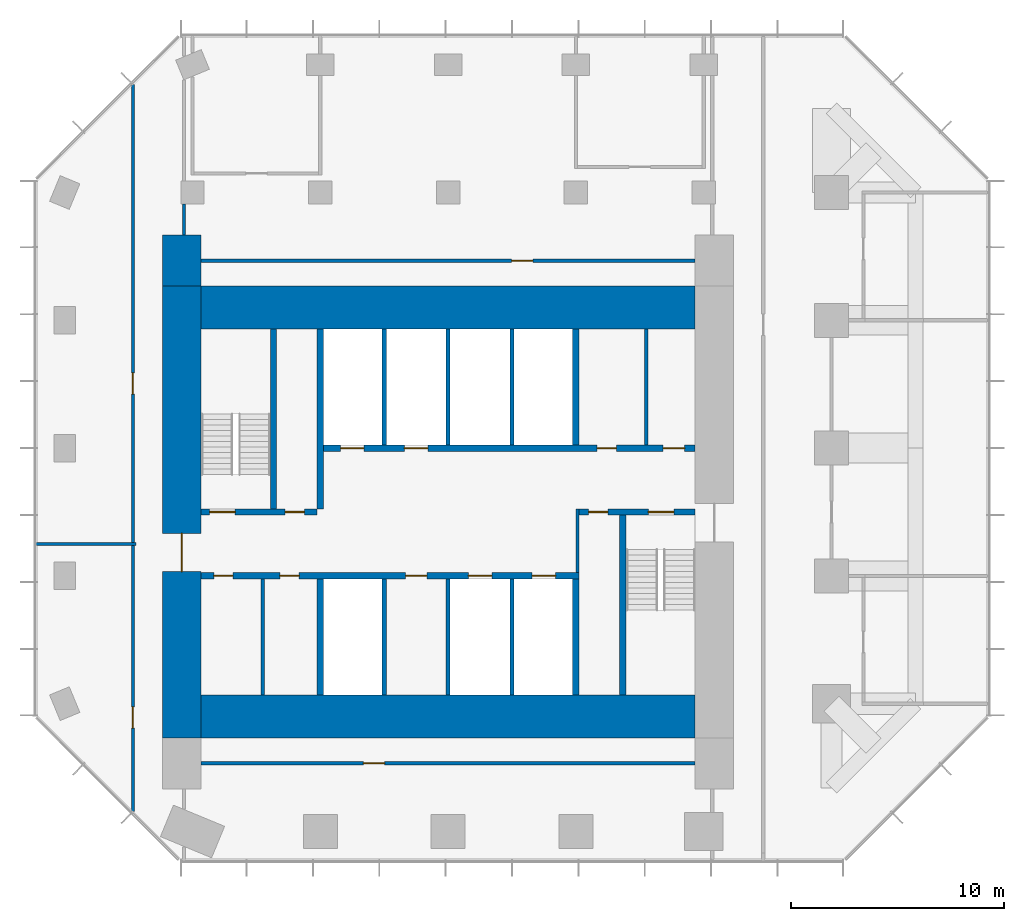
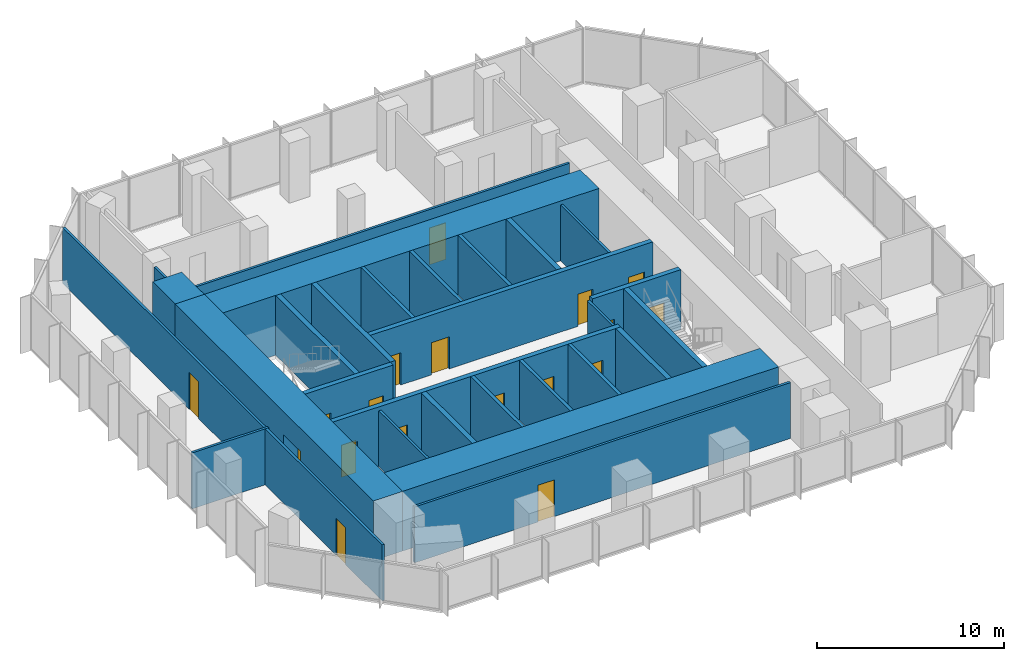
# One storey, part 8 of 10: 29 walls, 18 doors, 18 openings.
"""IFC4 building model written with IfcOpenShell, lengths in metres."""

from ifc_helpers import new_model, si_unit, direction, frame, frame_2d, origin, place, context, subcontext, project, spatial, rectangle, extrude, material, layer, layer_set, type_object, element, fill, save


model = new_model("IFC4")

# Units and contexts
model_context = context("Model", 3, precision=1e-05, world=origin(), true_north=direction((0.0, 1.0)))
body_context = subcontext(model_context, "Body", "Model", "MODEL_VIEW")
ifc_project = project(units=[si_unit("LENGTHUNIT", "METRE"), si_unit("AREAUNIT", "SQUARE_METRE"), si_unit("VOLUMEUNIT", "CUBIC_METRE"), si_unit("PLANEANGLEUNIT", "RADIAN"), si_unit("MASSUNIT", "GRAM", prefix="KILO")], contexts=[model_context])

# Site, building, storey
site_placement = place(None, origin())
site = spatial("IfcSite", under=ifc_project, at=site_placement, CompositionType="ELEMENT")
building_placement = place(site_placement, origin())
building = spatial("IfcBuilding", under=site, at=building_placement, Name="Highveld Stack Headquarters", CompositionType="ELEMENT")
storey_placement = place(building_placement, frame((0.0, 0.0, 264.5)))
storey = spatial("IfcBuildingStorey", under=building, at=storey_placement, Name="L65", CompositionType="ELEMENT", Elevation=264.5)

# Wall, opening, door
ifc_material_1 = material(Name="Concrete C60/75", Category="concrete")
ifc_layer_1 = layer(ifc_material_1, 1.800048828125)
ifc_layer_set_1 = layer_set([ifc_layer_1], Name="Concrete C60/75")
wall_type_1 = type_object("IfcWallType", Name="CORE WALL 1800 C60/75", PredefinedType="SHEAR", material=ifc_layer_set_1)
wall_1_placement = place(storey_placement, frame((-6.5, -7.60009765625, 0.0), z_axis=(0.0, 0.0, 1.0), x_axis=(0.0, 1.0, 0.0)))
wall_1 = element("IfcWall", 1, at=wall_1_placement, inside=storey, type_object=wall_type_1, Name="Core wall W L65", PredefinedType="SHEAR", context=body_context, shape_type="SweptSolid", body=[
    extrude(rectangle(XDim=21.2001953125, YDim=1.800048828125, at=frame_2d((10.60009765625, 0.0))), origin(), (0.0, 0.0, 1.0), 3.89990234375),
])
opening_1_placement = place(wall_1_placement, frame((7.800048828125, 0.0, 0.0)))
opening_1 = element("IfcOpeningElement", 2, at=opening_1_placement, cuts=wall_1, Name="Opening L65-01", PredefinedType="OPENING", context=body_context, shape_type="SweptSolid", body=[
    extrude(rectangle(XDim=1.800048828125, YDim=2.39990234375, at=frame_2d((0.89990234375, 1.199951171875))), frame((0.0, 0.909912109375, 0.0), z_axis=(0.0, -1.0, 0.0), x_axis=(1.0, 0.0, 0.0)), (0.0, 0.0, 1.0), 1.820068359375),
])
ifc_material_2 = material(Name="Steel fire door", Category="steel")
door_type_1 = type_object("IfcDoorType", Name="LOBBY FIRE DOOR D4 1800x2400", OperationType="DOUBLE_DOOR_SINGLE_SWING", PredefinedType="DOOR", material=ifc_material_2)
door_1_placement = place(opening_1_placement, origin())
door_1 = element("IfcDoor", 3, at=door_1_placement, inside=storey, type_object=door_type_1, Name="Core west door L65", OperationType="DOUBLE_DOOR_SINGLE_SWING", OverallHeight=2.39990234375, OverallWidth=1.800048828125, PredefinedType="DOOR", context=body_context, shape_type="SweptSolid", body=[
    extrude(rectangle(XDim=1.800048828125, YDim=2.39990234375, at=frame_2d((0.89990234375, 1.199951171875))), frame((0.0, 0.02490234375, 0.0), z_axis=(0.0, -1.0, 0.0), x_axis=(1.0, 0.0, 0.0)), (0.0, 0.0, 1.0), 0.050048828125),
])
fill(opening_1, door_1)

# Walls
ifc_material_3 = material(Name="Concrete C60/75", Category="concrete")
ifc_layer_2 = layer(ifc_material_3, 2.0)
ifc_layer_set_2 = layer_set([ifc_layer_2], Name="Concrete C60/75")
wall_type_2 = type_object("IfcWallType", Name="CORE WALL 2000 C60/75", PredefinedType="SHEAR", material=ifc_layer_set_2)
for number, where, z_axis, x_axis, name in (
    (4, (-5.60009765625, -6.60009765625, 0.0), (0.0, 0.0, 1.0), (1.0, 0.0, 0.0), "Core wall S L65"),
    (5, (-5.60009765625, 12.60009765625, 0.0), (0.0, 0.0, 1.0), (1.0, 0.0, 0.0), "Core wall N L65"),
):
    element("IfcWall", number, at=place(storey_placement, frame(where, z_axis=z_axis, x_axis=x_axis)), inside=storey, type_object=wall_type_2, Name=name, PredefinedType="SHEAR", context=body_context, shape_type="SweptSolid", body=[
        extrude(rectangle(XDim=23.2001953125, YDim=2.0, at=frame_2d((11.60009765625, 0.0))), origin(), (0.0, 0.0, 1.0), 3.89990234375),
    ])

# Wall, openings, doors
ifc_material_4 = material(Name="Concrete C60/75", Category="concrete")
ifc_layer_3 = layer(ifc_material_4, 0.300048828125)
ifc_layer_set_3 = layer_set([ifc_layer_3], Name="Concrete C60/75")
wall_type_3 = type_object("IfcWallType", Name="CORE WALL 300 C60/75", PredefinedType="SHEAR", material=ifc_layer_set_3)
wall_2_placement = place(storey_placement, frame((-5.60009765625, 0.0, 0.0), z_axis=(0.0, 0.0, 1.0), x_axis=(1.0, 0.0, 0.0)))
wall_2 = element("IfcWall", 6, at=wall_2_placement, inside=storey, type_object=wall_type_3, Name="Core wall I-Y0 L65", PredefinedType="SHEAR", context=body_context, shape_type="SweptSolid", body=[
    extrude(rectangle(XDim=17.75, YDim=0.300048828125, at=frame_2d((8.875, 0.0))), origin(), (0.0, 0.0, 1.0), 3.89990234375),
])
opening_2_placement = place(wall_2_placement, frame((0.60009765625, 0.0, 0.0)))
opening_2 = element("IfcOpeningElement", 7, at=opening_2_placement, cuts=wall_2, Name="Opening L65-07", PredefinedType="OPENING", context=body_context, shape_type="SweptSolid", body=[
    extrude(rectangle(XDim=0.89990234375, YDim=2.10009765625, at=frame_2d((0.449951171875, 1.050048828125))), frame((0.0, 0.159912109375, 0.0), z_axis=(0.0, -1.0, 0.0), x_axis=(1.0, 0.0, 0.0)), (0.0, 0.0, 1.0), 0.320068359375),
])
opening_3_placement = place(wall_2_placement, frame((3.699951171875, 0.0, 0.0)))
opening_3 = element("IfcOpeningElement", 8, at=opening_3_placement, cuts=wall_2, Name="Opening L65-08", PredefinedType="OPENING", context=body_context, shape_type="SweptSolid", body=[
    extrude(rectangle(XDim=0.89990234375, YDim=2.10009765625, at=frame_2d((0.449951171875, 1.050048828125))), frame((0.0, 0.159912109375, 0.0), z_axis=(0.0, -1.0, 0.0), x_axis=(1.0, 0.0, 0.0)), (0.0, 0.0, 1.0), 0.320068359375),
])
opening_4_placement = place(wall_2_placement, frame((9.60009765625, 0.0, 0.0)))
opening_4 = element("IfcOpeningElement", 9, at=opening_4_placement, cuts=wall_2, Name="Opening L65-11", PredefinedType="OPENING", context=body_context, shape_type="SweptSolid", body=[
    extrude(rectangle(XDim=1.0, YDim=2.10009765625, at=frame_2d((0.5, 1.050048828125))), frame((0.0, 0.159912109375, 0.0), z_axis=(0.0, -1.0, 0.0), x_axis=(1.0, 0.0, 0.0)), (0.0, 0.0, 1.0), 0.320068359375),
])
opening_5_placement = place(wall_2_placement, frame((12.550048828125, 0.0, 0.0)))
opening_5 = element("IfcOpeningElement", 10, at=opening_5_placement, cuts=wall_2, Name="Opening LD", PredefinedType="OPENING", context=body_context, shape_type="SweptSolid", body=[
    extrude(rectangle(XDim=1.10009765625, YDim=2.10009765625, at=frame_2d((0.550048828125, 1.050048828125))), frame((0.0, 0.159912109375, 0.0), z_axis=(0.0, -1.0, 0.0), x_axis=(1.0, 0.0, 0.0)), (0.0, 0.0, 1.0), 0.320068359375),
])
opening_6_placement = place(wall_2_placement, frame((15.550048828125, 0.0, 0.0)))
opening_6 = element("IfcOpeningElement", 11, at=opening_6_placement, cuts=wall_2, Name="Opening LD", PredefinedType="OPENING", context=body_context, shape_type="SweptSolid", body=[
    extrude(rectangle(XDim=1.10009765625, YDim=2.10009765625, at=frame_2d((0.550048828125, 1.050048828125))), frame((0.0, 0.159912109375, 0.0), z_axis=(0.0, -1.0, 0.0), x_axis=(1.0, 0.0, 0.0)), (0.0, 0.0, 1.0), 0.320068359375),
])
ifc_material_5 = material(Name="Steel fire door", Category="steel")
door_type_2 = type_object("IfcDoorType", Name="CORE ROOM FIRE DOOR D14 1000x2100", OperationType="SINGLE_SWING_LEFT", PredefinedType="DOOR", material=ifc_material_5)
door_2_placement = place(opening_4_placement, origin())
door_2 = element("IfcDoor", 12, at=door_2_placement, inside=storey, type_object=door_type_2, Name="Capped B 1 door L65", OperationType="SINGLE_SWING_RIGHT", OverallHeight=2.10009765625, OverallWidth=1.0, PredefinedType="DOOR", context=body_context, shape_type="SweptSolid", body=[
    extrude(rectangle(XDim=1.0, YDim=2.10009765625, at=frame_2d((0.5, 1.050048828125))), frame((0.0, 0.02490234375, 0.0), z_axis=(0.0, -1.0, 0.0), x_axis=(1.0, 0.0, 0.0)), (0.0, 0.0, 1.0), 0.050048828125),
])
fill(opening_4, door_2)
ifc_material_6 = material(Name="Stainless steel lift landing door", Category="steel")
door_type_3 = type_object("IfcDoorType", Name="LIFT LANDING DOOR LD 1100x2100", OperationType="DOUBLE_DOOR_SLIDING", PredefinedType="USERDEFINED", material=ifc_material_6)
door_3_placement = place(opening_5_placement, origin())
door_3 = element("IfcDoor", 13, at=door_3_placement, inside=storey, type_object=door_type_3, Name="Lift landing door C1 L65", ObjectType="LIFT LANDING DOOR", OperationType="DOUBLE_DOOR_SLIDING", OverallHeight=2.10009765625, OverallWidth=1.10009765625, PredefinedType="USERDEFINED", context=body_context, shape_type="SweptSolid", body=[
    extrude(rectangle(XDim=1.10009765625, YDim=2.10009765625, at=frame_2d((0.550048828125, 1.050048828125))), frame((0.0, 0.02490234375, 0.0), z_axis=(0.0, -1.0, 0.0), x_axis=(1.0, 0.0, 0.0)), (0.0, 0.0, 1.0), 0.050048828125),
])
fill(opening_5, door_3)
door_4_placement = place(opening_6_placement, origin())
door_4 = element("IfcDoor", 14, at=door_4_placement, inside=storey, type_object=door_type_3, Name="Lift landing door C2 L65", ObjectType="LIFT LANDING DOOR", OperationType="DOUBLE_DOOR_SLIDING", OverallHeight=2.10009765625, OverallWidth=1.10009765625, PredefinedType="USERDEFINED", context=body_context, shape_type="SweptSolid", body=[
    extrude(rectangle(XDim=1.10009765625, YDim=2.10009765625, at=frame_2d((0.550048828125, 1.050048828125))), frame((0.0, 0.02490234375, 0.0), z_axis=(0.0, -1.0, 0.0), x_axis=(1.0, 0.0, 0.0)), (0.0, 0.0, 1.0), 0.050048828125),
])
fill(opening_6, door_4)
ifc_material_7 = material(Name="Timber door, painted", Category="wood")
door_type_4 = type_object("IfcDoorType", Name="WC DOOR D1 900x2100", OperationType="SINGLE_SWING_LEFT", PredefinedType="DOOR", material=ifc_material_7)
door_5_placement = place(opening_2_placement, origin())
door_5 = element("IfcDoor", 15, at=door_5_placement, inside=storey, type_object=door_type_4, Name="Female WC door L65", OperationType="SINGLE_SWING_LEFT", OverallHeight=2.10009765625, OverallWidth=0.89990234375, PredefinedType="DOOR", context=body_context, shape_type="SweptSolid", body=[
    extrude(rectangle(XDim=0.89990234375, YDim=2.10009765625, at=frame_2d((0.449951171875, 1.050048828125))), frame((0.0, 0.02490234375, 0.0), z_axis=(0.0, -1.0, 0.0), x_axis=(1.0, 0.0, 0.0)), (0.0, 0.0, 1.0), 0.050048828125),
])
fill(opening_2, door_5)
door_6_placement = place(opening_3_placement, origin())
door_6 = element("IfcDoor", 16, at=door_6_placement, inside=storey, type_object=door_type_4, Name="Shower and changing room door L65", OperationType="SINGLE_SWING_LEFT", OverallHeight=2.10009765625, OverallWidth=0.89990234375, PredefinedType="DOOR", context=body_context, shape_type="SweptSolid", body=[
    extrude(rectangle(XDim=0.89990234375, YDim=2.10009765625, at=frame_2d((0.449951171875, 1.050048828125))), frame((0.0, 0.02490234375, 0.0), z_axis=(0.0, -1.0, 0.0), x_axis=(1.0, 0.0, 0.0)), (0.0, 0.0, 1.0), 0.050048828125),
])
fill(opening_3, door_6)

wall_3_placement = place(storey_placement, frame((-5.60009765625, 3.0, 0.0), z_axis=(0.0, 0.0, 1.0), x_axis=(1.0, 0.0, 0.0)))
wall_3 = element("IfcWall", 17, at=wall_3_placement, inside=storey, type_object=wall_type_3, Name="Core wall I-Y3W L65", PredefinedType="SHEAR", context=body_context, shape_type="SweptSolid", body=[
    extrude(rectangle(XDim=5.4501953125, YDim=0.300048828125, at=frame_2d((2.72509765625, 0.0))), origin(), (0.0, 0.0, 1.0), 3.89990234375),
])
opening_7_placement = place(wall_3_placement, frame((0.39990234375, 0.0, 0.0)))
opening_7 = element("IfcOpeningElement", 18, at=opening_7_placement, cuts=wall_3, Name="Opening L65-03", PredefinedType="OPENING", context=body_context, shape_type="SweptSolid", body=[
    extrude(rectangle(XDim=1.199951171875, YDim=2.10009765625, at=frame_2d((0.60009765625, 1.050048828125))), frame((0.0, 0.159912109375, 0.0), z_axis=(0.0, -1.0, 0.0), x_axis=(1.0, 0.0, 0.0)), (0.0, 0.0, 1.0), 0.320068359375),
])
opening_8_placement = place(wall_3_placement, frame((3.949951171875, 0.0, 0.0)))
opening_8 = element("IfcOpeningElement", 19, at=opening_8_placement, cuts=wall_3, Name="Opening L65-04", PredefinedType="OPENING", context=body_context, shape_type="SweptSolid", body=[
    extrude(rectangle(XDim=0.89990234375, YDim=2.10009765625, at=frame_2d((0.449951171875, 1.050048828125))), frame((0.0, 0.159912109375, 0.0), z_axis=(0.0, -1.0, 0.0), x_axis=(1.0, 0.0, 0.0)), (0.0, 0.0, 1.0), 0.320068359375),
])
ifc_material_8 = material(Name="Steel fire door", Category="steel")
door_type_5 = type_object("IfcDoorType", Name="RISER ACCESS DOOR D5 900x2100", OperationType="SINGLE_SWING_LEFT", PredefinedType="DOOR", material=ifc_material_8)
door_7_placement = place(opening_8_placement, origin())
door_7 = element("IfcDoor", 20, at=door_7_placement, inside=storey, type_object=door_type_5, Name="Riser R1 door L65", OperationType="SINGLE_SWING_RIGHT", OverallHeight=2.10009765625, OverallWidth=0.89990234375, PredefinedType="DOOR", context=body_context, shape_type="SweptSolid", body=[
    extrude(rectangle(XDim=0.89990234375, YDim=2.10009765625, at=frame_2d((0.449951171875, 1.050048828125))), frame((0.0, 0.02490234375, 0.0), z_axis=(0.0, -1.0, 0.0), x_axis=(1.0, 0.0, 0.0)), (0.0, 0.0, 1.0), 0.050048828125),
])
fill(opening_8, door_7)
ifc_material_9 = material(Name="Steel fire door", Category="steel")
door_type_6 = type_object("IfcDoorType", Name="STAIR FIRE DOOR D3 1200x2100", OperationType="SINGLE_SWING_LEFT", PredefinedType="DOOR", material=ifc_material_9)
door_8_placement = place(opening_7_placement, origin())
door_8 = element("IfcDoor", 21, at=door_8_placement, inside=storey, type_object=door_type_6, Name="Stair S1 door L65", OperationType="SINGLE_SWING_LEFT", OverallHeight=2.10009765625, OverallWidth=1.199951171875, PredefinedType="DOOR", context=body_context, shape_type="SweptSolid", body=[
    extrude(rectangle(XDim=1.199951171875, YDim=2.10009765625, at=frame_2d((0.60009765625, 1.050048828125))), frame((0.0, 0.02490234375, 0.0), z_axis=(0.0, -1.0, 0.0), x_axis=(1.0, 0.0, 0.0)), (0.0, 0.0, 1.0), 0.050048828125),
])
fill(opening_7, door_8)

wall_4_placement = place(storey_placement, frame((12.14990234375, 3.0, 0.0), z_axis=(0.0, 0.0, 1.0), x_axis=(1.0, 0.0, 0.0)))
wall_4 = element("IfcWall", 22, at=wall_4_placement, inside=storey, type_object=wall_type_3, Name="Core wall I-Y3E L65", PredefinedType="SHEAR", context=body_context, shape_type="SweptSolid", body=[
    extrude(rectangle(XDim=5.4501953125, YDim=0.300048828125, at=frame_2d((2.72509765625, 0.0))), origin(), (0.0, 0.0, 1.0), 3.89990234375),
])
opening_9_placement = place(wall_4_placement, frame((3.25, 0.0, 0.0)))
opening_9 = element("IfcOpeningElement", 23, at=opening_9_placement, cuts=wall_4, Name="Opening L65-05", PredefinedType="OPENING", context=body_context, shape_type="SweptSolid", body=[
    extrude(rectangle(XDim=1.199951171875, YDim=2.10009765625, at=frame_2d((0.60009765625, 1.050048828125))), frame((0.0, 0.159912109375, 0.0), z_axis=(0.0, -1.0, 0.0), x_axis=(1.0, 0.0, 0.0)), (0.0, 0.0, 1.0), 0.320068359375),
])
opening_10_placement = place(wall_4_placement, frame((0.449951171875, 0.0, 0.0)))
opening_10 = element("IfcOpeningElement", 24, at=opening_10_placement, cuts=wall_4, Name="Opening L65-06", PredefinedType="OPENING", context=body_context, shape_type="SweptSolid", body=[
    extrude(rectangle(XDim=0.89990234375, YDim=2.10009765625, at=frame_2d((0.449951171875, 1.050048828125))), frame((0.0, 0.159912109375, 0.0), z_axis=(0.0, -1.0, 0.0), x_axis=(1.0, 0.0, 0.0)), (0.0, 0.0, 1.0), 0.320068359375),
])
door_9_placement = place(opening_10_placement, origin())
door_9 = element("IfcDoor", 25, at=door_9_placement, inside=storey, type_object=door_type_5, Name="Riser R2 door L65", OperationType="SINGLE_SWING_LEFT", OverallHeight=2.10009765625, OverallWidth=0.89990234375, PredefinedType="DOOR", context=body_context, shape_type="SweptSolid", body=[
    extrude(rectangle(XDim=0.89990234375, YDim=2.10009765625, at=frame_2d((0.449951171875, 1.050048828125))), frame((0.0, 0.02490234375, 0.0), z_axis=(0.0, -1.0, 0.0), x_axis=(1.0, 0.0, 0.0)), (0.0, 0.0, 1.0), 0.050048828125),
])
fill(opening_10, door_9)
door_10_placement = place(opening_9_placement, origin())
door_10 = element("IfcDoor", 26, at=door_10_placement, inside=storey, type_object=door_type_6, Name="Stair S2 door L65", OperationType="SINGLE_SWING_RIGHT", OverallHeight=2.10009765625, OverallWidth=1.199951171875, PredefinedType="DOOR", context=body_context, shape_type="SweptSolid", body=[
    extrude(rectangle(XDim=1.199951171875, YDim=2.10009765625, at=frame_2d((0.60009765625, 1.050048828125))), frame((0.0, 0.02490234375, 0.0), z_axis=(0.0, -1.0, 0.0), x_axis=(1.0, 0.0, 0.0)), (0.0, 0.0, 1.0), 0.050048828125),
])
fill(opening_9, door_10)

wall_5_placement = place(storey_placement, frame((-0.14990234375, 6.0, 0.0), z_axis=(0.0, 0.0, 1.0), x_axis=(1.0, 0.0, 0.0)))
wall_5 = element("IfcWall", 27, at=wall_5_placement, inside=storey, type_object=wall_type_3, Name="Core wall I-Y6 L65", PredefinedType="SHEAR", context=body_context, shape_type="SweptSolid", body=[
    extrude(rectangle(XDim=17.75, YDim=0.300048828125, at=frame_2d((8.875, 0.0))), origin(), (0.0, 0.0, 1.0), 3.89990234375),
])
opening_11_placement = place(wall_5_placement, frame((13.14990234375, 0.0, 0.0)))
opening_11 = element("IfcOpeningElement", 28, at=opening_11_placement, cuts=wall_5, Name="Opening L65-09", PredefinedType="OPENING", context=body_context, shape_type="SweptSolid", body=[
    extrude(rectangle(XDim=0.89990234375, YDim=2.10009765625, at=frame_2d((0.449951171875, 1.050048828125))), frame((0.0, 0.159912109375, 0.0), z_axis=(0.0, -1.0, 0.0), x_axis=(1.0, 0.0, 0.0)), (0.0, 0.0, 1.0), 0.320068359375),
])
opening_12_placement = place(wall_5_placement, frame((16.25, 0.0, 0.0)))
opening_12 = element("IfcOpeningElement", 29, at=opening_12_placement, cuts=wall_5, Name="Opening L65-10", PredefinedType="OPENING", context=body_context, shape_type="SweptSolid", body=[
    extrude(rectangle(XDim=1.0, YDim=2.10009765625, at=frame_2d((0.5, 1.050048828125))), frame((0.0, 0.159912109375, 0.0), z_axis=(0.0, -1.0, 0.0), x_axis=(1.0, 0.0, 0.0)), (0.0, 0.0, 1.0), 0.320068359375),
])
opening_13_placement = place(wall_5_placement, frame((1.10009765625, 0.0, 0.0)))
opening_13 = element("IfcOpeningElement", 30, at=opening_13_placement, cuts=wall_5, Name="Opening LD", PredefinedType="OPENING", context=body_context, shape_type="SweptSolid", body=[
    extrude(rectangle(XDim=1.10009765625, YDim=2.10009765625, at=frame_2d((0.550048828125, 1.050048828125))), frame((0.0, 0.159912109375, 0.0), z_axis=(0.0, -1.0, 0.0), x_axis=(1.0, 0.0, 0.0)), (0.0, 0.0, 1.0), 0.320068359375),
])
opening_14_placement = place(wall_5_placement, frame((4.10009765625, 0.0, 0.0)))
opening_14 = element("IfcOpeningElement", 31, at=opening_14_placement, cuts=wall_5, Name="Opening LD", PredefinedType="OPENING", context=body_context, shape_type="SweptSolid", body=[
    extrude(rectangle(XDim=1.10009765625, YDim=2.10009765625, at=frame_2d((0.550048828125, 1.050048828125))), frame((0.0, 0.159912109375, 0.0), z_axis=(0.0, -1.0, 0.0), x_axis=(1.0, 0.0, 0.0)), (0.0, 0.0, 1.0), 0.320068359375),
])
ifc_material_10 = material(Name="Timber door, painted", Category="wood")
door_type_7 = type_object("IfcDoorType", Name="ACCESSIBLE WC DOOR D2 1000x2100", OperationType="SINGLE_SWING_RIGHT", PredefinedType="DOOR", material=ifc_material_10)
door_11_placement = place(opening_12_placement, origin())
door_11 = element("IfcDoor", 32, at=door_11_placement, inside=storey, type_object=door_type_7, Name="Accessible WC door L65", OperationType="SINGLE_SWING_RIGHT", OverallHeight=2.10009765625, OverallWidth=1.0, PredefinedType="DOOR", context=body_context, shape_type="SweptSolid", body=[
    extrude(rectangle(XDim=1.0, YDim=2.10009765625, at=frame_2d((0.5, 1.050048828125))), frame((0.0, 0.02490234375, 0.0), z_axis=(0.0, -1.0, 0.0), x_axis=(1.0, 0.0, 0.0)), (0.0, 0.0, 1.0), 0.050048828125),
])
fill(opening_12, door_11)
door_12_placement = place(opening_13_placement, origin())
door_12 = element("IfcDoor", 33, at=door_12_placement, inside=storey, type_object=door_type_3, Name="Lift landing door FF1 L65", ObjectType="LIFT LANDING DOOR", OperationType="DOUBLE_DOOR_SLIDING", OverallHeight=2.10009765625, OverallWidth=1.10009765625, PredefinedType="USERDEFINED", context=body_context, shape_type="SweptSolid", body=[
    extrude(rectangle(XDim=1.10009765625, YDim=2.10009765625, at=frame_2d((0.550048828125, 1.050048828125))), frame((0.0, 0.02490234375, 0.0), z_axis=(0.0, -1.0, 0.0), x_axis=(1.0, 0.0, 0.0)), (0.0, 0.0, 1.0), 0.050048828125),
])
fill(opening_13, door_12)
door_13_placement = place(opening_14_placement, origin())
door_13 = element("IfcDoor", 34, at=door_13_placement, inside=storey, type_object=door_type_3, Name="Lift landing door FF2 L65", ObjectType="LIFT LANDING DOOR", OperationType="DOUBLE_DOOR_SLIDING", OverallHeight=2.10009765625, OverallWidth=1.10009765625, PredefinedType="USERDEFINED", context=body_context, shape_type="SweptSolid", body=[
    extrude(rectangle(XDim=1.10009765625, YDim=2.10009765625, at=frame_2d((0.550048828125, 1.050048828125))), frame((0.0, 0.02490234375, 0.0), z_axis=(0.0, -1.0, 0.0), x_axis=(1.0, 0.0, 0.0)), (0.0, 0.0, 1.0), 0.050048828125),
])
fill(opening_14, door_13)
door_14_placement = place(opening_11_placement, origin())
door_14 = element("IfcDoor", 35, at=door_14_placement, inside=storey, type_object=door_type_4, Name="Male WC door L65", OperationType="SINGLE_SWING_RIGHT", OverallHeight=2.10009765625, OverallWidth=0.89990234375, PredefinedType="DOOR", context=body_context, shape_type="SweptSolid", body=[
    extrude(rectangle(XDim=0.89990234375, YDim=2.10009765625, at=frame_2d((0.449951171875, 1.050048828125))), frame((0.0, 0.02490234375, 0.0), z_axis=(0.0, -1.0, 0.0), x_axis=(1.0, 0.0, 0.0)), (0.0, 0.0, 1.0), 0.050048828125),
])
fill(opening_11, door_14)

# Walls
wall_6_placement = place(storey_placement, frame((0.0, -5.60009765625, 0.0), z_axis=(0.0, 0.0, 1.0), x_axis=(0.0, 1.0, 0.0)))
element("IfcWall", 36, at=wall_6_placement, inside=storey, type_object=wall_type_3, Name="Core wall I-X0S L65", PredefinedType="SHEAR", context=body_context, shape_type="SweptSolid", body=[
    extrude(rectangle(XDim=5.4501953125, YDim=0.300048828125, at=frame_2d((2.72509765625, 0.0))), origin(), (0.0, 0.0, 1.0), 3.89990234375),
])
wall_7_placement = place(storey_placement, frame((0.0, 3.14990234375, 0.0), z_axis=(0.0, 0.0, 1.0), x_axis=(0.0, 1.0, 0.0)))
element("IfcWall", 37, at=wall_7_placement, inside=storey, type_object=wall_type_3, Name="Core wall I-X0N L65", PredefinedType="SHEAR", context=body_context, shape_type="SweptSolid", body=[
    extrude(rectangle(XDim=8.4501953125, YDim=0.300048828125, at=frame_2d((4.22509765625, 0.0))), origin(), (0.0, 0.0, 1.0), 3.89990234375),
])
for number, where, z_axis, x_axis, name in (
    (38, (12.0, -5.60009765625, 0.0), (0.0, 0.0, 1.0), (0.0, 1.0, 0.0), "Core wall I-X12S L65"),
    (39, (12.0, 6.14990234375, 0.0), (0.0, 0.0, 1.0), (0.0, 1.0, 0.0), "Core wall I-X12N L65"),
):
    element("IfcWall", number, at=place(storey_placement, frame(where, z_axis=z_axis, x_axis=x_axis)), inside=storey, type_object=wall_type_3, Name=name, PredefinedType="SHEAR", context=body_context, shape_type="SweptSolid", body=[
        extrude(rectangle(XDim=5.4501953125, YDim=0.300048828125, at=frame_2d((2.72509765625, 0.0))), origin(), (0.0, 0.0, 1.0), 3.89990234375),
    ])
for number, where, z_axis, x_axis, name in (
    (40, (-2.199951171875, 3.14990234375, 0.0), (0.0, 0.0, 1.0), (0.0, 1.0, 0.0), "Core wall I-RW L65"),
    (41, (14.199951171875, -5.60009765625, 0.0), (0.0, 0.0, 1.0), (0.0, 1.0, 0.0), "Core wall I-RE L65"),
):
    element("IfcWall", number, at=place(storey_placement, frame(where, z_axis=z_axis, x_axis=x_axis)), inside=storey, type_object=wall_type_3, Name=name, PredefinedType="SHEAR", context=body_context, shape_type="SweptSolid", body=[
        extrude(rectangle(XDim=8.4501953125, YDim=0.300048828125, at=frame_2d((4.22509765625, 0.0))), origin(), (0.0, 0.0, 1.0), 3.89990234375),
    ])
ifc_material_11 = material(Name="Concrete C60/75", Category="concrete")
ifc_layer_4 = layer(ifc_material_11, 1.800048828125)
ifc_layer_set_4 = layer_set([ifc_layer_4], Name="Concrete C60/75")
wall_type_4 = type_object("IfcWallType", Name="CORE WING WALL 1800 C60/75", PredefinedType="SHEAR", material=ifc_layer_set_4)
wall_8_placement = place(storey_placement, frame((-6.5, 13.60009765625, 0.0), z_axis=(0.0, 0.0, 1.0), x_axis=(0.0, 1.0, 0.0)))
element("IfcWall", 42, at=wall_8_placement, inside=storey, type_object=wall_type_4, Name="Core wing wall WN L65", PredefinedType="SHEAR", context=body_context, shape_type="SweptSolid", body=[
    extrude(rectangle(XDim=2.39990234375, YDim=1.800048828125, at=frame_2d((1.199951171875, 0.0))), origin(), (0.0, 0.0, 1.0), 3.89990234375),
])
ifc_material_12 = material(Name="Concrete blockwork, plastered", Category="masonry")
ifc_layer_5 = layer(ifc_material_12, 0.14990234375)
ifc_layer_set_5 = layer_set([ifc_layer_5], Name="Concrete blockwork, plastered")
wall_type_5 = type_object("IfcWallType", Name="FIRE PARTITION 150 BLOCKWORK", PredefinedType="PARTITIONING", material=ifc_layer_set_5)
wall_9_placement = place(storey_placement, frame((12.074951171875, 0.14990234375, 0.0), z_axis=(0.0, 0.0, 1.0), x_axis=(0.0, 1.0, 0.0)))
element("IfcWall", 43, at=wall_9_placement, inside=storey, type_object=wall_type_5, Name="Riser R2 enclosure L65", PredefinedType="PARTITIONING", context=body_context, shape_type="SweptSolid", body=[
    extrude(rectangle(XDim=3.0, YDim=0.14990234375, at=frame_2d((1.5, 0.0))), origin(), (0.0, 0.0, 1.0), 3.64990234375),
])
ifc_material_13 = material(Name="Concrete blockwork, fair-faced", Category="masonry")
ifc_layer_6 = layer(ifc_material_13, 0.199951171875)
ifc_layer_set_6 = layer_set([ifc_layer_6], Name="Concrete blockwork, fair-faced")
wall_type_6 = type_object("IfcWallType", Name="LIFT SHAFT ENCLOSURE WALL 200 BLOCKWORK", PredefinedType="SOLIDWALL", material=ifc_layer_set_6)
for number, where, z_axis, x_axis, name in (
    (44, (3.0, 6.14990234375, 0.0), (0.0, 0.0, 1.0), (0.0, 1.0, 0.0), "Lift shaft wall L65"),
    (45, (6.0, 6.14990234375, 0.0), (0.0, 0.0, 1.0), (0.0, 1.0, 0.0), "Lift shaft wall L65"),
    (46, (9.0, 6.14990234375, 0.0), (0.0, 0.0, 1.0), (0.0, 1.0, 0.0), "Lift shaft wall L65"),
    (47, (3.0, -5.60009765625, 0.0), (0.0, 0.0, 1.0), (0.0, 1.0, 0.0), "Lift shaft wall L65"),
    (48, (6.0, -5.60009765625, 0.0), (0.0, 0.0, 1.0), (0.0, 1.0, 0.0), "Lift shaft wall L65"),
    (49, (9.0, -5.60009765625, 0.0), (0.0, 0.0, 1.0), (0.0, 1.0, 0.0), "Lift shaft wall L65"),
):
    element("IfcWall", number, at=place(storey_placement, frame(where, z_axis=z_axis, x_axis=x_axis)), inside=storey, type_object=wall_type_6, Name=name, PredefinedType="SOLIDWALL", context=body_context, shape_type="SweptSolid", body=[
        extrude(rectangle(XDim=5.4501953125, YDim=0.199951171875, at=frame_2d((2.72509765625, 0.0))), origin(), (0.0, 0.0, 1.0), 3.89990234375),
    ])
ifc_material_14 = material(Name="Gypsum plasterboard on steel studs", Category="steel")
ifc_layer_7 = layer(ifc_material_14, 0.14990234375)
ifc_layer_set_7 = layer_set([ifc_layer_7], Name="Gypsum plasterboard on steel studs")
wall_type_7 = type_object("IfcWallType", Name="PARTITION 150 PLASTERBOARD", PredefinedType="PARTITIONING", material=ifc_layer_set_7)
wall_10_placement = place(storey_placement, frame((-13.375, 1.5, 0.0), z_axis=(0.0, 0.0, 1.0), x_axis=(1.0, 0.0, 0.0)))
element("IfcWall", 50, at=wall_10_placement, inside=storey, type_object=wall_type_7, Name="Partition office neighbourhood L65", PredefinedType="PARTITIONING", context=body_context, shape_type="SweptSolid", body=[
    extrude(rectangle(XDim=4.72509765625, YDim=0.14990234375, at=frame_2d((2.362548828125, 0.0))), origin(), (0.0, 0.0, 1.0), 3.64990234375),
])

# Wall, opening, door
wall_11_placement = place(storey_placement, frame((-8.800048828125, -11.06298828125, 0.0), z_axis=(0.0, 0.0, 1.0), x_axis=(0.0, 1.0, 0.0)))
wall_11 = element("IfcWall", 51, at=wall_11_placement, inside=storey, type_object=wall_type_7, Name="Partition office neighbourhood L65", PredefinedType="PARTITIONING", context=body_context, shape_type="SweptSolid", body=[
    extrude(rectangle(XDim=12.488037109375, YDim=0.14990234375, at=frame_2d((6.244140625, 0.0))), origin(), (0.0, 0.0, 1.0), 3.64990234375),
])
opening_15_placement = place(wall_11_placement, frame((3.9130859375, 0.0, 0.0)))
opening_15 = element("IfcOpeningElement", 52, at=opening_15_placement, cuts=wall_11, Name="Opening L65-18", PredefinedType="OPENING", context=body_context, shape_type="SweptSolid", body=[
    extrude(rectangle(XDim=1.0, YDim=2.39990234375, at=frame_2d((0.5, 1.199951171875))), frame((0.0, 0.0849609375, 0.0), z_axis=(0.0, -1.0, 0.0), x_axis=(1.0, 0.0, 0.0)), (0.0, 0.0, 1.0), 0.169921875),
])
ifc_material_15 = material(Name="Timber door, oiled ash", Category="wood")
door_type_8 = type_object("IfcDoorType", Name="ROOM DOOR D11 1000x2400", OperationType="SINGLE_SWING_LEFT", PredefinedType="DOOR", material=ifc_material_15)
door_15_placement = place(opening_15_placement, origin())
door_15 = element("IfcDoor", 53, at=door_15_placement, inside=storey, type_object=door_type_8, Name="Office neighbourhood door L65", OperationType="SINGLE_SWING_LEFT", OverallHeight=2.39990234375, OverallWidth=1.0, PredefinedType="DOOR", context=body_context, shape_type="SweptSolid", body=[
    extrude(rectangle(XDim=1.0, YDim=2.39990234375, at=frame_2d((0.5, 1.199951171875))), frame((0.0, 0.02490234375, 0.0), z_axis=(0.0, -1.0, 0.0), x_axis=(1.0, 0.0, 0.0)), (0.0, 0.0, 1.0), 0.050048828125),
])
fill(opening_15, door_15)

wall_12_placement = place(storey_placement, frame((-8.800048828125, 1.574951171875, 0.0), z_axis=(0.0, 0.0, 1.0), x_axis=(0.0, 1.0, 0.0)))
wall_12 = element("IfcWall", 54, at=wall_12_placement, inside=storey, type_object=wall_type_7, Name="Partition office neighbourhood L65", PredefinedType="PARTITIONING", context=body_context, shape_type="SweptSolid", body=[
    extrude(rectangle(XDim=21.488037109375, YDim=0.14990234375, at=frame_2d((10.744140625, 0.0))), origin(), (0.0, 0.0, 1.0), 3.64990234375),
])
opening_16_placement = place(wall_12_placement, frame((6.962890625, 0.0, 0.0)))
opening_16 = element("IfcOpeningElement", 55, at=opening_16_placement, cuts=wall_12, Name="Opening L65-20", PredefinedType="OPENING", context=body_context, shape_type="SweptSolid", body=[
    extrude(rectangle(XDim=1.0, YDim=2.39990234375, at=frame_2d((0.5, 1.199951171875))), frame((0.0, 0.0849609375, 0.0), z_axis=(0.0, -1.0, 0.0), x_axis=(1.0, 0.0, 0.0)), (0.0, 0.0, 1.0), 0.169921875),
])
door_16_placement = place(opening_16_placement, origin())
door_16 = element("IfcDoor", 56, at=door_16_placement, inside=storey, type_object=door_type_8, Name="Office neighbourhood door L65", OperationType="SINGLE_SWING_LEFT", OverallHeight=2.39990234375, OverallWidth=1.0, PredefinedType="DOOR", context=body_context, shape_type="SweptSolid", body=[
    extrude(rectangle(XDim=1.0, YDim=2.39990234375, at=frame_2d((0.5, 1.199951171875))), frame((0.0, 0.02490234375, 0.0), z_axis=(0.0, -1.0, 0.0), x_axis=(1.0, 0.0, 0.0)), (0.0, 0.0, 1.0), 0.050048828125),
])
fill(opening_16, door_16)

# Wall
wall_13_placement = place(storey_placement, frame((-6.39990234375, 16.0, 0.0), z_axis=(0.0, 0.0, 1.0), x_axis=(0.0, 1.0, 0.0)))
element("IfcWall", 57, at=wall_13_placement, inside=storey, type_object=wall_type_7, Name="Partition office neighbourhood L65", PredefinedType="PARTITIONING", context=body_context, shape_type="SweptSolid", body=[
    extrude(rectangle(XDim=1.449951171875, YDim=0.14990234375, at=frame_2d((0.72509765625, 0.0))), origin(), (0.0, 0.0, 1.0), 3.64990234375),
])

# Wall, opening, door
wall_14_placement = place(storey_placement, frame((-5.60009765625, -8.800048828125, 0.0), z_axis=(0.0, 0.0, 1.0), x_axis=(1.0, 0.0, 0.0)))
wall_14 = element("IfcWall", 58, at=wall_14_placement, inside=storey, type_object=wall_type_7, Name="Partition office neighbourhood L65", PredefinedType="PARTITIONING", context=body_context, shape_type="SweptSolid", body=[
    extrude(rectangle(XDim=23.2001953125, YDim=0.14990234375, at=frame_2d((11.60009765625, 0.0))), origin(), (0.0, 0.0, 1.0), 3.64990234375),
])
opening_17_placement = place(wall_14_placement, frame((7.6201171875, 0.0, 0.0)))
opening_17 = element("IfcOpeningElement", 59, at=opening_17_placement, cuts=wall_14, Name="Opening L65-17", PredefinedType="OPENING", context=body_context, shape_type="SweptSolid", body=[
    extrude(rectangle(XDim=1.0, YDim=2.39990234375, at=frame_2d((0.5, 1.199951171875))), frame((0.0, 0.0849609375, 0.0), z_axis=(0.0, -1.0, 0.0), x_axis=(1.0, 0.0, 0.0)), (0.0, 0.0, 1.0), 0.169921875),
])
door_17_placement = place(opening_17_placement, origin())
door_17 = element("IfcDoor", 60, at=door_17_placement, inside=storey, type_object=door_type_8, Name="Office neighbourhood door L65", OperationType="SINGLE_SWING_LEFT", OverallHeight=2.39990234375, OverallWidth=1.0, PredefinedType="DOOR", context=body_context, shape_type="SweptSolid", body=[
    extrude(rectangle(XDim=1.0, YDim=2.39990234375, at=frame_2d((0.5, 1.199951171875))), frame((0.0, 0.02490234375, 0.0), z_axis=(0.0, -1.0, 0.0), x_axis=(1.0, 0.0, 0.0)), (0.0, 0.0, 1.0), 0.050048828125),
])
fill(opening_17, door_17)

wall_15_placement = place(storey_placement, frame((-5.60009765625, 14.800048828125, 0.0), z_axis=(0.0, 0.0, 1.0), x_axis=(1.0, 0.0, 0.0)))
wall_15 = element("IfcWall", 61, at=wall_15_placement, inside=storey, type_object=wall_type_7, Name="Partition office neighbourhood L65", PredefinedType="PARTITIONING", context=body_context, shape_type="SweptSolid", body=[
    extrude(rectangle(XDim=23.2001953125, YDim=0.14990234375, at=frame_2d((11.60009765625, 0.0))), origin(), (0.0, 0.0, 1.0), 3.64990234375),
])
opening_18_placement = place(wall_15_placement, frame((14.580078125, 0.0, 0.0)))
opening_18 = element("IfcOpeningElement", 62, at=opening_18_placement, cuts=wall_15, Name="Opening L65-21", PredefinedType="OPENING", context=body_context, shape_type="SweptSolid", body=[
    extrude(rectangle(XDim=1.0, YDim=2.39990234375, at=frame_2d((0.5, 1.199951171875))), frame((0.0, 0.0849609375, 0.0), z_axis=(0.0, -1.0, 0.0), x_axis=(1.0, 0.0, 0.0)), (0.0, 0.0, 1.0), 0.169921875),
])
door_18_placement = place(opening_18_placement, origin())
door_18 = element("IfcDoor", 63, at=door_18_placement, inside=storey, type_object=door_type_8, Name="Office neighbourhood door L65", OperationType="SINGLE_SWING_RIGHT", OverallHeight=2.39990234375, OverallWidth=1.0, PredefinedType="DOOR", context=body_context, shape_type="SweptSolid", body=[
    extrude(rectangle(XDim=1.0, YDim=2.39990234375, at=frame_2d((0.5, 1.199951171875))), frame((0.0, 0.02490234375, 0.0), z_axis=(0.0, -1.0, 0.0), x_axis=(1.0, 0.0, 0.0)), (0.0, 0.0, 1.0), 0.050048828125),
])
fill(opening_18, door_18)

# Walls
ifc_material_16 = material(Name="Concrete blockwork, tiled", Category="masonry")
ifc_layer_8 = layer(ifc_material_16, 0.14990234375)
ifc_layer_set_8 = layer_set([ifc_layer_8], Name="Concrete blockwork, tiled")
wall_type_8 = type_object("IfcWallType", Name="WC PARTITION 150", PredefinedType="PLUMBINGWALL", material=ifc_layer_set_8)
for number, where, z_axis, x_axis, name in (
    (64, (-2.699951171875, -5.60009765625, 0.0), (0.0, 0.0, 1.0), (0.0, 1.0, 0.0), "Toilet partition L65"),
    (65, (15.300048828125, 6.14990234375, 0.0), (0.0, 0.0, 1.0), (0.0, 1.0, 0.0), "Toilet partition L65"),
):
    element("IfcWall", number, at=place(storey_placement, frame(where, z_axis=z_axis, x_axis=x_axis)), inside=storey, type_object=wall_type_8, Name=name, PredefinedType="PLUMBINGWALL", context=body_context, shape_type="SweptSolid", body=[
        extrude(rectangle(XDim=5.4501953125, YDim=0.14990234375, at=frame_2d((2.72509765625, 0.0))), origin(), (0.0, 0.0, 1.0), 3.64990234375),
    ])

save(model, "model.ifc")
